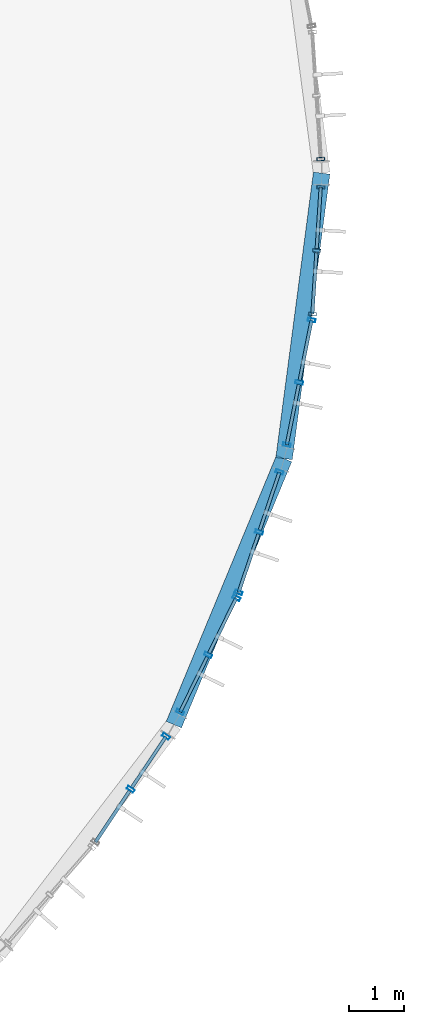
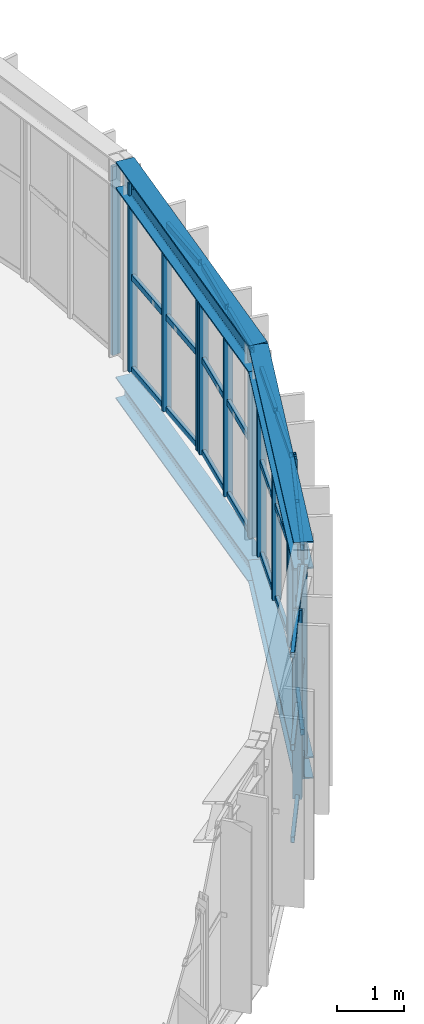
# One storey, part 49 of 152: 45 members, 4 beams, 6 elements without a shape of their own.
"""IFC4 building model written with IfcOpenShell, lengths in metres."""

from ifc_helpers import new_model, si_unit, derived_unit, direction, frame, origin, origin_2d, place, context, subcontext, project, spatial, hollow_rectangle, i_section, extrude, material, material_profile, profile_set, type_object, element, aggregate, save


model = new_model("IFC4")

# Units and contexts
model_context = context("Model", 3, precision=1e-05, world=origin(), true_north=direction((0.0, 1.0)))
body_context = subcontext(model_context, "Body", "Model", "MODEL_VIEW")
ifc_project = project(units=[si_unit("LENGTHUNIT", "METRE"), si_unit("AREAUNIT", "SQUARE_METRE"), si_unit("VOLUMEUNIT", "CUBIC_METRE"), si_unit("PLANEANGLEUNIT", "RADIAN"), si_unit("MASSUNIT", "GRAM", prefix="KILO"), si_unit("THERMODYNAMICTEMPERATUREUNIT", "KELVIN"), si_unit("TIMEUNIT", "SECOND"), derived_unit("THERMALTRANSMITTANCEUNIT", [(si_unit("MASSUNIT", "GRAM", prefix="KILO"), 1), (si_unit("THERMODYNAMICTEMPERATUREUNIT", "KELVIN"), -1), (si_unit("TIMEUNIT", "SECOND"), -3)])], contexts=[model_context])

# Site, building, storey
site_placement = place(None, origin())
site = spatial("IfcSite", under=ifc_project, at=site_placement, CompositionType="ELEMENT")
building_placement = place(site_placement, origin())
building = spatial("IfcBuilding", under=site, at=building_placement, Name="Cambertide Market Hall", CompositionType="ELEMENT")
storey_placement = place(building_placement, frame((0.0, 0.0, 5.39990234375)))
storey = spatial("IfcBuildingStorey", under=building, at=storey_placement, Name="L02", CompositionType="ELEMENT", Elevation=5.39990234375)

# Curtain wall, members
ifc_material_1 = material(Name="Marine Anodized Aluminium 6063-T6 AA25", Category="aluminium")
curtain_wall_type = type_object("IfcCurtainWallType", Name="Lantern Apse Chord Upper Curtain Wall", PredefinedType="USERDEFINED", material=ifc_material_1)
curtain_wall_1_placement = place(storey_placement, origin())
curtain_wall_1 = element("IfcCurtainWall", 1, at=curtain_wall_1_placement, inside=storey, type_object=curtain_wall_type, Name="Level 2 Curtain Wall CW-V1AE-L02-08", ObjectType="UNITIZED CURTAIN WALL", PredefinedType="USERDEFINED")
ifc_material_2 = material(Name="Champagne Marine Anodized Aluminium 6063-T6 AA25", Category="aluminium")
ifc_material_profile_1 = material_profile(ifc_material_2, hollow_rectangle(XDim=0.06005859375, YDim=0.139892578125, WallThickness=0.00341796875, at=origin_2d()), Name="ALU MULLION 60x140")
ifc_profile_set_1 = profile_set([ifc_material_profile_1], Name="Champagne Marine Anodized Aluminium 6063-T6 AA25")
member_type_1 = type_object("IfcMemberType", Name="Curtain Wall Mullion ALU MULLION 60x140", PredefinedType="MULLION", material=ifc_profile_set_1)
member_1_placement = place(storey_placement, frame((122.178955078125, 61.7880859375, 0.0), z_axis=(0.0, 0.0, 1.0), x_axis=(-0.555570087582, -0.831469709481, 0.0)))
member_1 = element("IfcMember", 2, at=member_1_placement, type_object=member_type_1, Name="CW-V1AE-L02-08 Mullion 1", PredefinedType="MULLION", context=body_context, shape_type="SweptSolid", body=[
    extrude(hollow_rectangle(XDim=0.06005859375, YDim=0.139892578125, WallThickness=0.00341796875, at=origin_2d()), origin(), (0.0, 0.0, 1.0), 3.4501953125),
])
member_2_placement = place(storey_placement, frame((121.538330078125, 60.829345703125, 0.0), z_axis=(0.0, 0.0, 1.0), x_axis=(-0.555570087582, -0.831469709481, 0.0)))
member_2 = element("IfcMember", 3, at=member_2_placement, type_object=member_type_1, Name="CW-V1AE-L02-08 Mullion 2", PredefinedType="MULLION", context=body_context, shape_type="SweptSolid", body=[
    extrude(hollow_rectangle(XDim=0.06005859375, YDim=0.139892578125, WallThickness=0.00341796875, at=origin_2d()), origin(), (0.0, 0.0, 1.0), 3.4501953125),
])

curtain_wall_2_placement = place(storey_placement, origin())
curtain_wall_2 = element("IfcCurtainWall", 4, at=curtain_wall_2_placement, inside=storey, type_object=curtain_wall_type, Name="Level 2 Curtain Wall CW-V1AE-L02-09", ObjectType="UNITIZED CURTAIN WALL", PredefinedType="USERDEFINED")
member_3_placement = place(storey_placement, frame((123.453369140625, 64.297119140625, 0.0), z_axis=(0.0, 0.0, 1.0), x_axis=(-0.442288874522, -0.896872650645, 0.0)))
member_3 = element("IfcMember", 5, at=member_3_placement, type_object=member_type_1, Name="CW-V1AE-L02-09 Mullion 1", PredefinedType="MULLION", context=body_context, shape_type="SweptSolid", body=[
    extrude(hollow_rectangle(XDim=0.06005859375, YDim=0.139892578125, WallThickness=0.00341796875, at=origin_2d()), origin(), (0.0, 0.0, 1.0), 3.4501953125),
])
member_4_placement = place(storey_placement, frame((122.943359375, 63.262939453125, 0.0), z_axis=(0.0, 0.0, 1.0), x_axis=(-0.442288874522, -0.896872650645, 0.0)))
member_4 = element("IfcMember", 6, at=member_4_placement, type_object=member_type_1, Name="CW-V1AE-L02-09 Mullion 2", PredefinedType="MULLION", context=body_context, shape_type="SweptSolid", body=[
    extrude(hollow_rectangle(XDim=0.06005859375, YDim=0.139892578125, WallThickness=0.00341796875, at=origin_2d()), origin(), (0.0, 0.0, 1.0), 3.4501953125),
])
member_5_placement = place(storey_placement, frame((122.433349609375, 62.228759765625, 0.0), z_axis=(0.0, 0.0, 1.0), x_axis=(-0.442288874522, -0.896872650645, 0.0)))
member_5 = element("IfcMember", 7, at=member_5_placement, type_object=member_type_1, Name="CW-V1AE-L02-09 Mullion 3", PredefinedType="MULLION", context=body_context, shape_type="SweptSolid", body=[
    extrude(hollow_rectangle(XDim=0.06005859375, YDim=0.139892578125, WallThickness=0.00341796875, at=origin_2d()), origin(), (0.0, 0.0, 1.0), 3.4501953125),
])

curtain_wall_3_placement = place(storey_placement, origin())
curtain_wall_3 = element("IfcCurtainWall", 8, at=curtain_wall_3_placement, inside=storey, type_object=curtain_wall_type, Name="Level 2 Curtain Wall CW-V1AE-L02-10", ObjectType="UNITIZED CURTAIN WALL", PredefinedType="USERDEFINED")
member_6_placement = place(storey_placement, frame((124.236572265625, 66.58203125, 0.0), z_axis=(0.0, 0.0, 1.0), x_axis=(-0.32143947831, -0.94693012508, 0.0)))
member_6 = element("IfcMember", 9, at=member_6_placement, type_object=member_type_1, Name="CW-V1AE-L02-10 Mullion 1", PredefinedType="MULLION", context=body_context, shape_type="SweptSolid", body=[
    extrude(hollow_rectangle(XDim=0.06005859375, YDim=0.139892578125, WallThickness=0.00341796875, at=origin_2d()), origin(), (0.0, 0.0, 1.0), 3.4501953125),
])
member_7_placement = place(storey_placement, frame((123.865966796875, 65.490234375, 0.0), z_axis=(0.0, 0.0, 1.0), x_axis=(-0.32143947831, -0.94693012508, 0.0)))
member_7 = element("IfcMember", 10, at=member_7_placement, type_object=member_type_1, Name="CW-V1AE-L02-10 Mullion 2", PredefinedType="MULLION", context=body_context, shape_type="SweptSolid", body=[
    extrude(hollow_rectangle(XDim=0.06005859375, YDim=0.139892578125, WallThickness=0.00341796875, at=origin_2d()), origin(), (0.0, 0.0, 1.0), 3.4501953125),
])
member_8_placement = place(storey_placement, frame((123.495361328125, 64.3984375, 0.0), z_axis=(0.0, 0.0, 1.0), x_axis=(-0.32143947831, -0.94693012508, 0.0)))
member_8 = element("IfcMember", 11, at=member_8_placement, type_object=member_type_1, Name="CW-V1AE-L02-10 Mullion 3", PredefinedType="MULLION", context=body_context, shape_type="SweptSolid", body=[
    extrude(hollow_rectangle(XDim=0.06005859375, YDim=0.139892578125, WallThickness=0.00341796875, at=origin_2d()), origin(), (0.0, 0.0, 1.0), 3.4501953125),
])

curtain_wall_4_placement = place(storey_placement, origin())
curtain_wall_4 = element("IfcCurtainWall", 12, at=curtain_wall_4_placement, inside=storey, type_object=curtain_wall_type, Name="Level 2 Curtain Wall CW-V1AE-L02-11", ObjectType="UNITIZED CURTAIN WALL", PredefinedType="USERDEFINED")
member_9_placement = place(storey_placement, frame((124.818115234375, 69.33544921875, 0.0), z_axis=(0.0, 0.0, 1.0), x_axis=(-0.195090068226, -0.980785330885, 0.0)))
member_9 = element("IfcMember", 13, at=member_9_placement, type_object=member_type_1, Name="CW-V1AE-L02-11 Mullion 1", PredefinedType="MULLION", context=body_context, shape_type="SweptSolid", body=[
    extrude(hollow_rectangle(XDim=0.06005859375, YDim=0.139892578125, WallThickness=0.00341796875, at=origin_2d()), origin(), (0.0, 0.0, 1.0), 3.4501953125),
])
member_10_placement = place(storey_placement, frame((124.59326171875, 68.20458984375, 0.0), z_axis=(0.0, 0.0, 1.0), x_axis=(-0.195090068226, -0.980785330885, 0.0)))
member_10 = element("IfcMember", 14, at=member_10_placement, type_object=member_type_1, Name="CW-V1AE-L02-11 Mullion 2", PredefinedType="MULLION", context=body_context, shape_type="SweptSolid", body=[
    extrude(hollow_rectangle(XDim=0.06005859375, YDim=0.139892578125, WallThickness=0.00341796875, at=origin_2d()), origin(), (0.0, 0.0, 1.0), 3.4501953125),
])
member_11_placement = place(storey_placement, frame((124.3681640625, 67.07373046875, 0.0), z_axis=(0.0, 0.0, 1.0), x_axis=(-0.195090068226, -0.980785330885, 0.0)))
member_11 = element("IfcMember", 15, at=member_11_placement, type_object=member_type_1, Name="CW-V1AE-L02-11 Mullion 3", PredefinedType="MULLION", context=body_context, shape_type="SweptSolid", body=[
    extrude(hollow_rectangle(XDim=0.06005859375, YDim=0.139892578125, WallThickness=0.00341796875, at=origin_2d()), origin(), (0.0, 0.0, 1.0), 3.4501953125),
])

curtain_wall_5_placement = place(storey_placement, origin())
curtain_wall_5 = element("IfcCurtainWall", 16, at=curtain_wall_5_placement, inside=storey, type_object=curtain_wall_type, Name="Level 2 Curtain Wall CW-V1AE-L02-12", ObjectType="UNITIZED CURTAIN WALL", PredefinedType="USERDEFINED")
member_12_placement = place(storey_placement, frame((124.9833984375, 71.74560546875, 0.0), z_axis=(0.0, 0.0, 1.0), x_axis=(-0.065403211921, -0.997858917819, 0.0)))
member_12 = element("IfcMember", 17, at=member_12_placement, type_object=member_type_1, Name="CW-V1AE-L02-12 Mullion 1", PredefinedType="MULLION", context=body_context, shape_type="SweptSolid", body=[
    extrude(hollow_rectangle(XDim=0.06005859375, YDim=0.139892578125, WallThickness=0.00341796875, at=origin_2d()), origin(), (0.0, 0.0, 1.0), 3.4501953125),
])
member_13_placement = place(storey_placement, frame((124.907958984375, 70.594970703125, 0.0), z_axis=(0.0, 0.0, 1.0), x_axis=(-0.065403211921, -0.997858917819, 0.0)))
member_13 = element("IfcMember", 18, at=member_13_placement, type_object=member_type_1, Name="CW-V1AE-L02-12 Mullion 2", PredefinedType="MULLION", context=body_context, shape_type="SweptSolid", body=[
    extrude(hollow_rectangle(XDim=0.06005859375, YDim=0.139892578125, WallThickness=0.00341796875, at=origin_2d()), origin(), (0.0, 0.0, 1.0), 3.4501953125),
])
member_14_placement = place(storey_placement, frame((124.83251953125, 69.4443359375, 0.0), z_axis=(0.0, 0.0, 1.0), x_axis=(-0.065403211921, -0.997858917819, 0.0)))
member_14 = element("IfcMember", 19, at=member_14_placement, type_object=member_type_1, Name="CW-V1AE-L02-12 Mullion 3", PredefinedType="MULLION", context=body_context, shape_type="SweptSolid", body=[
    extrude(hollow_rectangle(XDim=0.06005859375, YDim=0.139892578125, WallThickness=0.00341796875, at=origin_2d()), origin(), (0.0, 0.0, 1.0), 3.4501953125),
])

# Curtain wall, member
curtain_wall_6_placement = place(storey_placement, origin())
curtain_wall_6 = element("IfcCurtainWall", 20, at=curtain_wall_6_placement, inside=storey, type_object=curtain_wall_type, Name="Level 2 Curtain Wall CW-V1AE-L02-13", ObjectType="UNITIZED CURTAIN WALL", PredefinedType="USERDEFINED")
member_15_placement = place(storey_placement, frame((124.9833984375, 72.25439453125, 0.0), z_axis=(0.0, 0.0, 1.0), x_axis=(0.065403211921, -0.997858917819, 0.0)))
member_15 = element("IfcMember", 21, at=member_15_placement, type_object=member_type_1, Name="CW-V1AE-L02-13 Mullion 3", PredefinedType="MULLION", context=body_context, shape_type="SweptSolid", body=[
    extrude(hollow_rectangle(XDim=0.06005859375, YDim=0.139892578125, WallThickness=0.00341796875, at=origin_2d()), origin(), (0.0, 0.0, 1.0), 3.4501953125),
])
aggregate(curtain_wall_6, [member_15])

# Member
ifc_material_3 = material(Name="Champagne Marine Anodized Aluminium 6063-T6 AA25", Category="aluminium")
ifc_material_profile_2 = material_profile(ifc_material_3, hollow_rectangle(XDim=0.06005859375, YDim=0.10498046875, WallThickness=0.0029296875, at=origin_2d()), Name="ALU TRANSOM 60x105")
ifc_profile_set_2 = profile_set([ifc_material_profile_2], Name="Champagne Marine Anodized Aluminium 6063-T6 AA25")
member_type_2 = type_object("IfcMemberType", Name="Curtain Wall Transom ALU TRANSOM 60x105", PredefinedType="USERDEFINED", material=ifc_profile_set_2)
member_16_placement = place(storey_placement, frame((122.176025390625, 61.783935546875, 0.03515625), z_axis=(-0.555462658685, -0.83154148111, 0.0), x_axis=(0.83154148111, -0.555462658685, 0.0)))
member_16 = element("IfcMember", 22, at=member_16_placement, type_object=member_type_2, Name="CW-V1AE-L02-08 Transom 1-1", ObjectType="TRANSOM", PredefinedType="USERDEFINED", context=body_context, shape_type="SweptSolid", body=[
    extrude(hollow_rectangle(XDim=0.06005859375, YDim=0.10498046875, WallThickness=0.0029296875, at=origin_2d()), origin(), (0.0, 0.0, 1.0), 1.108154296875),
])

member_17_placement = place(storey_placement, frame((121.51611328125, 60.7958984375, 0.03515625), z_axis=(-0.55571677103, -0.831371680054, 0.0), x_axis=(0.831371680054, -0.55571677103, 0.0)))
member_17 = element("IfcMember", 23, at=member_17_placement, type_object=member_type_2, Name="CW-V1AE-L02-08 Transom 1-2", ObjectType="TRANSOM", PredefinedType="USERDEFINED", context=body_context, shape_type="SweptSolid", body=[
    extrude(hollow_rectangle(XDim=0.06005859375, YDim=0.10498046875, WallThickness=0.0029296875, at=origin_2d()), origin(), (0.0, 0.0, 1.0), 1.10791015625),
])

member_18_placement = place(storey_placement, frame((122.176025390625, 61.783935546875, 1.72509765625), z_axis=(-0.555462658685, -0.83154148111, 0.0), x_axis=(0.83154148111, -0.555462658685, 0.0)))
member_18 = element("IfcMember", 24, at=member_18_placement, type_object=member_type_2, Name="CW-V1AE-L02-08 Transom 2-1", ObjectType="TRANSOM", PredefinedType="USERDEFINED", context=body_context, shape_type="SweptSolid", body=[
    extrude(hollow_rectangle(XDim=0.06005859375, YDim=0.10498046875, WallThickness=0.0029296875, at=origin_2d()), origin(), (0.0, 0.0, 1.0), 1.108154296875),
])

member_19_placement = place(storey_placement, frame((121.51611328125, 60.7958984375, 1.72509765625), z_axis=(-0.55571677103, -0.831371680054, 0.0), x_axis=(0.831371680054, -0.55571677103, 0.0)))
member_19 = element("IfcMember", 25, at=member_19_placement, type_object=member_type_2, Name="CW-V1AE-L02-08 Transom 2-2", ObjectType="TRANSOM", PredefinedType="USERDEFINED", context=body_context, shape_type="SweptSolid", body=[
    extrude(hollow_rectangle(XDim=0.06005859375, YDim=0.10498046875, WallThickness=0.0029296875, at=origin_2d()), origin(), (0.0, 0.0, 1.0), 1.10791015625),
])

member_20_placement = place(storey_placement, frame((122.176025390625, 61.783935546875, 3.4150390625), z_axis=(-0.555462658685, -0.83154148111, 0.0), x_axis=(0.83154148111, -0.555462658685, 0.0)))
member_20 = element("IfcMember", 26, at=member_20_placement, type_object=member_type_2, Name="CW-V1AE-L02-08 Transom 3-1", ObjectType="TRANSOM", PredefinedType="USERDEFINED", context=body_context, shape_type="SweptSolid", body=[
    extrude(hollow_rectangle(XDim=0.06005859375, YDim=0.10498046875, WallThickness=0.0029296875, at=origin_2d()), origin(), (0.0, 0.0, 1.0), 1.108154296875),
])

member_21_placement = place(storey_placement, frame((121.51611328125, 60.7958984375, 3.4150390625), z_axis=(-0.55571677103, -0.831371680054, 0.0), x_axis=(0.831371680054, -0.55571677103, 0.0)))
member_21 = element("IfcMember", 27, at=member_21_placement, type_object=member_type_2, Name="CW-V1AE-L02-08 Transom 3-2", ObjectType="TRANSOM", PredefinedType="USERDEFINED", context=body_context, shape_type="SweptSolid", body=[
    extrude(hollow_rectangle(XDim=0.06005859375, YDim=0.10498046875, WallThickness=0.0029296875, at=origin_2d()), origin(), (0.0, 0.0, 1.0), 1.10791015625),
])

aggregate(curtain_wall_1, [member_1, member_2, member_16, member_17, member_18, member_19, member_20, member_21])

member_22_placement = place(storey_placement, frame((123.451171875, 64.29248046875, 0.03515625), z_axis=(-0.44244786472, -0.896794227794, 0.0), x_axis=(0.896794227794, -0.44244786472, 0.0)))
member_22 = element("IfcMember", 28, at=member_22_placement, type_object=member_type_2, Name="CW-V1AE-L02-09 Transom 1-1", ObjectType="TRANSOM", PredefinedType="USERDEFINED", context=body_context, shape_type="SweptSolid", body=[
    extrude(hollow_rectangle(XDim=0.06005859375, YDim=0.10498046875, WallThickness=0.0029296875, at=origin_2d()), origin(), (0.0, 0.0, 1.0), 1.10791015625),
])

member_23_placement = place(storey_placement, frame((122.925537109375, 63.22705078125, 0.03515625), z_axis=(-0.442183235129, -0.896924738521, 0.0), x_axis=(0.896924738521, -0.442183235129, 0.0)))
member_23 = element("IfcMember", 29, at=member_23_placement, type_object=member_type_2, Name="CW-V1AE-L02-09 Transom 1-2", ObjectType="TRANSOM", PredefinedType="USERDEFINED", context=body_context, shape_type="SweptSolid", body=[
    extrude(hollow_rectangle(XDim=0.06005859375, YDim=0.10498046875, WallThickness=0.0029296875, at=origin_2d()), origin(), (0.0, 0.0, 1.0), 1.108154296875),
])

member_24_placement = place(storey_placement, frame((123.451171875, 64.29248046875, 1.72509765625), z_axis=(-0.44244786472, -0.896794227794, 0.0), x_axis=(0.896794227794, -0.44244786472, 0.0)))
member_24 = element("IfcMember", 30, at=member_24_placement, type_object=member_type_2, Name="CW-V1AE-L02-09 Transom 2-1", ObjectType="TRANSOM", PredefinedType="USERDEFINED", context=body_context, shape_type="SweptSolid", body=[
    extrude(hollow_rectangle(XDim=0.06005859375, YDim=0.10498046875, WallThickness=0.0029296875, at=origin_2d()), origin(), (0.0, 0.0, 1.0), 1.10791015625),
])

member_25_placement = place(storey_placement, frame((122.925537109375, 63.22705078125, 1.72509765625), z_axis=(-0.442183235129, -0.896924738521, 0.0), x_axis=(0.896924738521, -0.442183235129, 0.0)))
member_25 = element("IfcMember", 31, at=member_25_placement, type_object=member_type_2, Name="CW-V1AE-L02-09 Transom 2-2", ObjectType="TRANSOM", PredefinedType="USERDEFINED", context=body_context, shape_type="SweptSolid", body=[
    extrude(hollow_rectangle(XDim=0.06005859375, YDim=0.10498046875, WallThickness=0.0029296875, at=origin_2d()), origin(), (0.0, 0.0, 1.0), 1.108154296875),
])

member_26_placement = place(storey_placement, frame((123.451171875, 64.29248046875, 3.4150390625), z_axis=(-0.44244786472, -0.896794227794, 0.0), x_axis=(0.896794227794, -0.44244786472, 0.0)))
member_26 = element("IfcMember", 32, at=member_26_placement, type_object=member_type_2, Name="CW-V1AE-L02-09 Transom 3-1", ObjectType="TRANSOM", PredefinedType="USERDEFINED", context=body_context, shape_type="SweptSolid", body=[
    extrude(hollow_rectangle(XDim=0.06005859375, YDim=0.10498046875, WallThickness=0.0029296875, at=origin_2d()), origin(), (0.0, 0.0, 1.0), 1.10791015625),
])

member_27_placement = place(storey_placement, frame((122.925537109375, 63.22705078125, 3.4150390625), z_axis=(-0.442183235129, -0.896924738521, 0.0), x_axis=(0.896924738521, -0.442183235129, 0.0)))
member_27 = element("IfcMember", 33, at=member_27_placement, type_object=member_type_2, Name="CW-V1AE-L02-09 Transom 3-2", ObjectType="TRANSOM", PredefinedType="USERDEFINED", context=body_context, shape_type="SweptSolid", body=[
    extrude(hollow_rectangle(XDim=0.06005859375, YDim=0.10498046875, WallThickness=0.0029296875, at=origin_2d()), origin(), (0.0, 0.0, 1.0), 1.108154296875),
])

aggregate(curtain_wall_2, [member_3, member_4, member_5, member_22, member_23, member_24, member_25, member_26, member_27])

member_28_placement = place(storey_placement, frame((124.23486328125, 66.577392578125, 0.03515625), z_axis=(-0.321444521782, -0.946928413037, 0.0), x_axis=(0.946928413037, -0.321444521782, 0.0)))
member_28 = element("IfcMember", 34, at=member_28_placement, type_object=member_type_2, Name="CW-V1AE-L02-10 Transom 1-1", ObjectType="TRANSOM", PredefinedType="USERDEFINED", context=body_context, shape_type="SweptSolid", body=[
    extrude(hollow_rectangle(XDim=0.06005859375, YDim=0.10498046875, WallThickness=0.0029296875, at=origin_2d()), origin(), (0.0, 0.0, 1.0), 1.108154296875),
])

member_29_placement = place(storey_placement, frame((123.85302734375, 65.452392578125, 0.03515625), z_axis=(-0.321444521782, -0.946928413037, 0.0), x_axis=(0.946928413037, -0.321444521782, 0.0)))
member_29 = element("IfcMember", 35, at=member_29_placement, type_object=member_type_2, Name="CW-V1AE-L02-10 Transom 1-2", ObjectType="TRANSOM", PredefinedType="USERDEFINED", context=body_context, shape_type="SweptSolid", body=[
    extrude(hollow_rectangle(XDim=0.06005859375, YDim=0.10498046875, WallThickness=0.0029296875, at=origin_2d()), origin(), (0.0, 0.0, 1.0), 1.108154296875),
])

member_30_placement = place(storey_placement, frame((124.23486328125, 66.577392578125, 1.72509765625), z_axis=(-0.321444521782, -0.946928413037, 0.0), x_axis=(0.946928413037, -0.321444521782, 0.0)))
member_30 = element("IfcMember", 36, at=member_30_placement, type_object=member_type_2, Name="CW-V1AE-L02-10 Transom 2-1", ObjectType="TRANSOM", PredefinedType="USERDEFINED", context=body_context, shape_type="SweptSolid", body=[
    extrude(hollow_rectangle(XDim=0.06005859375, YDim=0.10498046875, WallThickness=0.0029296875, at=origin_2d()), origin(), (0.0, 0.0, 1.0), 1.108154296875),
])

member_31_placement = place(storey_placement, frame((123.85302734375, 65.452392578125, 1.72509765625), z_axis=(-0.321444521782, -0.946928413037, 0.0), x_axis=(0.946928413037, -0.321444521782, 0.0)))
member_31 = element("IfcMember", 37, at=member_31_placement, type_object=member_type_2, Name="CW-V1AE-L02-10 Transom 2-2", ObjectType="TRANSOM", PredefinedType="USERDEFINED", context=body_context, shape_type="SweptSolid", body=[
    extrude(hollow_rectangle(XDim=0.06005859375, YDim=0.10498046875, WallThickness=0.0029296875, at=origin_2d()), origin(), (0.0, 0.0, 1.0), 1.108154296875),
])

member_32_placement = place(storey_placement, frame((124.23486328125, 66.577392578125, 3.4150390625), z_axis=(-0.321444521782, -0.946928413037, 0.0), x_axis=(0.946928413037, -0.321444521782, 0.0)))
member_32 = element("IfcMember", 38, at=member_32_placement, type_object=member_type_2, Name="CW-V1AE-L02-10 Transom 3-1", ObjectType="TRANSOM", PredefinedType="USERDEFINED", context=body_context, shape_type="SweptSolid", body=[
    extrude(hollow_rectangle(XDim=0.06005859375, YDim=0.10498046875, WallThickness=0.0029296875, at=origin_2d()), origin(), (0.0, 0.0, 1.0), 1.108154296875),
])

member_33_placement = place(storey_placement, frame((123.85302734375, 65.452392578125, 3.4150390625), z_axis=(-0.321444521782, -0.946928413037, 0.0), x_axis=(0.946928413037, -0.321444521782, 0.0)))
member_33 = element("IfcMember", 39, at=member_33_placement, type_object=member_type_2, Name="CW-V1AE-L02-10 Transom 3-2", ObjectType="TRANSOM", PredefinedType="USERDEFINED", context=body_context, shape_type="SweptSolid", body=[
    extrude(hollow_rectangle(XDim=0.06005859375, YDim=0.10498046875, WallThickness=0.0029296875, at=origin_2d()), origin(), (0.0, 0.0, 1.0), 1.108154296875),
])

aggregate(curtain_wall_3, [member_6, member_7, member_8, member_28, member_29, member_30, member_31, member_32, member_33])

member_34_placement = place(storey_placement, frame((124.817138671875, 69.33056640625, 0.03515625), z_axis=(-0.195014235999, -0.980800411785, 0.0), x_axis=(0.980800411785, -0.195014235999, 0.0)))
member_34 = element("IfcMember", 40, at=member_34_placement, type_object=member_type_2, Name="CW-V1AE-L02-11 Transom 1-1", ObjectType="TRANSOM", PredefinedType="USERDEFINED", context=body_context, shape_type="SweptSolid", body=[
    extrude(hollow_rectangle(XDim=0.06005859375, YDim=0.10498046875, WallThickness=0.0029296875, at=origin_2d()), origin(), (0.0, 0.0, 1.0), 1.10791015625),
])

member_35_placement = place(storey_placement, frame((124.58544921875, 68.165283203125, 0.03515625), z_axis=(-0.195226197175, -0.980758243369, 0.0), x_axis=(0.980758243369, -0.195226197175, 0.0)))
member_35 = element("IfcMember", 41, at=member_35_placement, type_object=member_type_2, Name="CW-V1AE-L02-11 Transom 1-2", ObjectType="TRANSOM", PredefinedType="USERDEFINED", context=body_context, shape_type="SweptSolid", body=[
    extrude(hollow_rectangle(XDim=0.06005859375, YDim=0.10498046875, WallThickness=0.0029296875, at=origin_2d()), origin(), (0.0, 0.0, 1.0), 1.10791015625),
])

member_36_placement = place(storey_placement, frame((124.817138671875, 69.33056640625, 1.72509765625), z_axis=(-0.195014235999, -0.980800411785, 0.0), x_axis=(0.980800411785, -0.195014235999, 0.0)))
member_36 = element("IfcMember", 42, at=member_36_placement, type_object=member_type_2, Name="CW-V1AE-L02-11 Transom 2-1", ObjectType="TRANSOM", PredefinedType="USERDEFINED", context=body_context, shape_type="SweptSolid", body=[
    extrude(hollow_rectangle(XDim=0.06005859375, YDim=0.10498046875, WallThickness=0.0029296875, at=origin_2d()), origin(), (0.0, 0.0, 1.0), 1.10791015625),
])

member_37_placement = place(storey_placement, frame((124.58544921875, 68.165283203125, 1.72509765625), z_axis=(-0.195226197175, -0.980758243369, 0.0), x_axis=(0.980758243369, -0.195226197175, 0.0)))
member_37 = element("IfcMember", 43, at=member_37_placement, type_object=member_type_2, Name="CW-V1AE-L02-11 Transom 2-2", ObjectType="TRANSOM", PredefinedType="USERDEFINED", context=body_context, shape_type="SweptSolid", body=[
    extrude(hollow_rectangle(XDim=0.06005859375, YDim=0.10498046875, WallThickness=0.0029296875, at=origin_2d()), origin(), (0.0, 0.0, 1.0), 1.10791015625),
])

member_38_placement = place(storey_placement, frame((124.817138671875, 69.33056640625, 3.4150390625), z_axis=(-0.195014235999, -0.980800411785, 0.0), x_axis=(0.980800411785, -0.195014235999, 0.0)))
member_38 = element("IfcMember", 44, at=member_38_placement, type_object=member_type_2, Name="CW-V1AE-L02-11 Transom 3-1", ObjectType="TRANSOM", PredefinedType="USERDEFINED", context=body_context, shape_type="SweptSolid", body=[
    extrude(hollow_rectangle(XDim=0.06005859375, YDim=0.10498046875, WallThickness=0.0029296875, at=origin_2d()), origin(), (0.0, 0.0, 1.0), 1.10791015625),
])

member_39_placement = place(storey_placement, frame((124.58544921875, 68.165283203125, 3.4150390625), z_axis=(-0.195226197175, -0.980758243369, 0.0), x_axis=(0.980758243369, -0.195226197175, 0.0)))
member_39 = element("IfcMember", 45, at=member_39_placement, type_object=member_type_2, Name="CW-V1AE-L02-11 Transom 3-2", ObjectType="TRANSOM", PredefinedType="USERDEFINED", context=body_context, shape_type="SweptSolid", body=[
    extrude(hollow_rectangle(XDim=0.06005859375, YDim=0.10498046875, WallThickness=0.0029296875, at=origin_2d()), origin(), (0.0, 0.0, 1.0), 1.10791015625),
])

aggregate(curtain_wall_4, [member_9, member_10, member_11, member_34, member_35, member_36, member_37, member_38, member_39])

member_40_placement = place(storey_placement, frame((124.98291015625, 71.740478515625, 0.03515625), z_axis=(-0.065217451634, -0.997871075842, 0.0), x_axis=(0.997871075842, -0.065217451634, 0.0)))
member_40 = element("IfcMember", 46, at=member_40_placement, type_object=member_type_2, Name="CW-V1AE-L02-12 Transom 1-1", ObjectType="TRANSOM", PredefinedType="USERDEFINED", context=body_context, shape_type="SweptSolid", body=[
    extrude(hollow_rectangle(XDim=0.06005859375, YDim=0.10498046875, WallThickness=0.0029296875, at=origin_2d()), origin(), (0.0, 0.0, 1.0), 1.108154296875),
])

member_41_placement = place(storey_placement, frame((124.9052734375, 70.554931640625, 0.03515625), z_axis=(-0.065451228695, -0.997855769469, 0.0), x_axis=(0.997855769469, -0.065451228695, 0.0)))
member_41 = element("IfcMember", 47, at=member_41_placement, type_object=member_type_2, Name="CW-V1AE-L02-12 Transom 1-2", ObjectType="TRANSOM", PredefinedType="USERDEFINED", context=body_context, shape_type="SweptSolid", body=[
    extrude(hollow_rectangle(XDim=0.06005859375, YDim=0.10498046875, WallThickness=0.0029296875, at=origin_2d()), origin(), (0.0, 0.0, 1.0), 1.10791015625),
])

member_42_placement = place(storey_placement, frame((124.98291015625, 71.740478515625, 1.72509765625), z_axis=(-0.065217451634, -0.997871075842, 0.0), x_axis=(0.997871075842, -0.065217451634, 0.0)))
member_42 = element("IfcMember", 48, at=member_42_placement, type_object=member_type_2, Name="CW-V1AE-L02-12 Transom 2-1", ObjectType="TRANSOM", PredefinedType="USERDEFINED", context=body_context, shape_type="SweptSolid", body=[
    extrude(hollow_rectangle(XDim=0.06005859375, YDim=0.10498046875, WallThickness=0.0029296875, at=origin_2d()), origin(), (0.0, 0.0, 1.0), 1.108154296875),
])

member_43_placement = place(storey_placement, frame((124.9052734375, 70.554931640625, 1.72509765625), z_axis=(-0.065451228695, -0.997855769469, 0.0), x_axis=(0.997855769469, -0.065451228695, 0.0)))
member_43 = element("IfcMember", 49, at=member_43_placement, type_object=member_type_2, Name="CW-V1AE-L02-12 Transom 2-2", ObjectType="TRANSOM", PredefinedType="USERDEFINED", context=body_context, shape_type="SweptSolid", body=[
    extrude(hollow_rectangle(XDim=0.06005859375, YDim=0.10498046875, WallThickness=0.0029296875, at=origin_2d()), origin(), (0.0, 0.0, 1.0), 1.10791015625),
])

member_44_placement = place(storey_placement, frame((124.98291015625, 71.740478515625, 3.4150390625), z_axis=(-0.065217451634, -0.997871075842, 0.0), x_axis=(0.997871075842, -0.065217451634, 0.0)))
member_44 = element("IfcMember", 50, at=member_44_placement, type_object=member_type_2, Name="CW-V1AE-L02-12 Transom 3-1", ObjectType="TRANSOM", PredefinedType="USERDEFINED", context=body_context, shape_type="SweptSolid", body=[
    extrude(hollow_rectangle(XDim=0.06005859375, YDim=0.10498046875, WallThickness=0.0029296875, at=origin_2d()), origin(), (0.0, 0.0, 1.0), 1.108154296875),
])

member_45_placement = place(storey_placement, frame((124.9052734375, 70.554931640625, 3.4150390625), z_axis=(-0.065451228695, -0.997855769469, 0.0), x_axis=(0.997855769469, -0.065451228695, 0.0)))
member_45 = element("IfcMember", 51, at=member_45_placement, type_object=member_type_2, Name="CW-V1AE-L02-12 Transom 3-2", ObjectType="TRANSOM", PredefinedType="USERDEFINED", context=body_context, shape_type="SweptSolid", body=[
    extrude(hollow_rectangle(XDim=0.06005859375, YDim=0.10498046875, WallThickness=0.0029296875, at=origin_2d()), origin(), (0.0, 0.0, 1.0), 1.10791015625),
])

aggregate(curtain_wall_5, [member_12, member_13, member_14, member_40, member_41, member_42, member_43, member_44, member_45])

# Beams
ifc_material_4 = material(Name="Steel S355", Category="steel")
ifc_material_profile_3 = material_profile(ifc_material_4, i_section(OverallWidth=0.300048828125, OverallDepth=0.5, WebThickness=0.014404296875, FlangeThickness=0.028076171875, FilletRadius=0.027099609375, at=origin_2d()), Name="HEB 500")
ifc_profile_set_3 = profile_set([ifc_material_profile_3], Name="Steel S355")
beam_type_1 = type_object("IfcBeamType", Name="Exterior Steel Girder HEB 500", PredefinedType="BEAM", material=ifc_profile_set_3)
beam_1_placement = place(storey_placement, frame((122.320556640625, 62.0, 3.4501953125), z_axis=(0.382682172528, 0.923880054352, 0.0), x_axis=(-0.923880054352, 0.382682172528, 0.0)))
element("IfcBeam", 52, at=beam_1_placement, inside=storey, type_object=beam_type_1, Name="Level 2 Beam EAVE-V1AE-05", PredefinedType="BEAM", context=body_context, shape_type="SweptSolid", body=[
    extrude(i_section(OverallWidth=0.300048828125, OverallDepth=0.5, WebThickness=0.014404296875, FlangeThickness=0.028076171875, FilletRadius=0.027099609375, at=origin_2d()), origin(), (0.0, 0.0, 1.0), 5.22119140625),
])
beam_2_placement = place(storey_placement, frame((124.318603515625, 66.82373046875, 3.4501953125), z_axis=(0.130512574825, 0.991446654043, 0.0), x_axis=(-0.991446654043, 0.130512574825, 0.0)))
element("IfcBeam", 53, at=beam_2_placement, inside=storey, type_object=beam_type_1, Name="Level 2 Beam EAVE-V1AE-06", PredefinedType="BEAM", context=body_context, shape_type="SweptSolid", body=[
    extrude(i_section(OverallWidth=0.300048828125, OverallDepth=0.5, WebThickness=0.014404296875, FlangeThickness=0.028076171875, FilletRadius=0.027099609375, at=origin_2d()), origin(), (0.0, 0.0, 1.0), 5.220947265625),
])
ifc_material_5 = material(Name="Steel S355", Category="steel")
ifc_material_profile_4 = material_profile(ifc_material_5, i_section(OverallWidth=0.300048828125, OverallDepth=0.39990234375, WebThickness=0.013427734375, FlangeThickness=0.02392578125, FilletRadius=0.027099609375, at=origin_2d()), Name="HEB 400")
ifc_profile_set_4 = profile_set([ifc_material_profile_4], Name="Steel S355")
beam_type_2 = type_object("IfcBeamType", Name="Steel Girder HEB 400", PredefinedType="BEAM", material=ifc_profile_set_4)
beam_3_placement = place(storey_placement, frame((122.320556640625, 62.0, -0.43994140625), z_axis=(0.382682172528, 0.923880054352, 0.0), x_axis=(-0.923880054352, 0.382682172528, 0.0)))
element("IfcBeam", 54, at=beam_3_placement, inside=storey, type_object=beam_type_2, Name="Level 2 Beam BM-V1AE-L02-5", PredefinedType="BEAM", context=body_context, shape_type="SweptSolid", body=[
    extrude(i_section(OverallWidth=0.300048828125, OverallDepth=0.39990234375, WebThickness=0.013427734375, FlangeThickness=0.02392578125, FilletRadius=0.027099609375, at=origin_2d()), origin(), (0.0, 0.0, 1.0), 5.22119140625),
])
beam_4_placement = place(storey_placement, frame((124.318603515625, 66.82373046875, -0.43994140625), z_axis=(0.130512574825, 0.991446654043, 0.0), x_axis=(-0.991446654043, 0.130512574825, 0.0)))
element("IfcBeam", 55, at=beam_4_placement, inside=storey, type_object=beam_type_2, Name="Level 2 Beam BM-V1AE-L02-6", PredefinedType="BEAM", context=body_context, shape_type="SweptSolid", body=[
    extrude(i_section(OverallWidth=0.300048828125, OverallDepth=0.39990234375, WebThickness=0.013427734375, FlangeThickness=0.02392578125, FilletRadius=0.027099609375, at=origin_2d()), origin(), (0.0, 0.0, 1.0), 5.220947265625),
])

save(model, "model.ifc")
